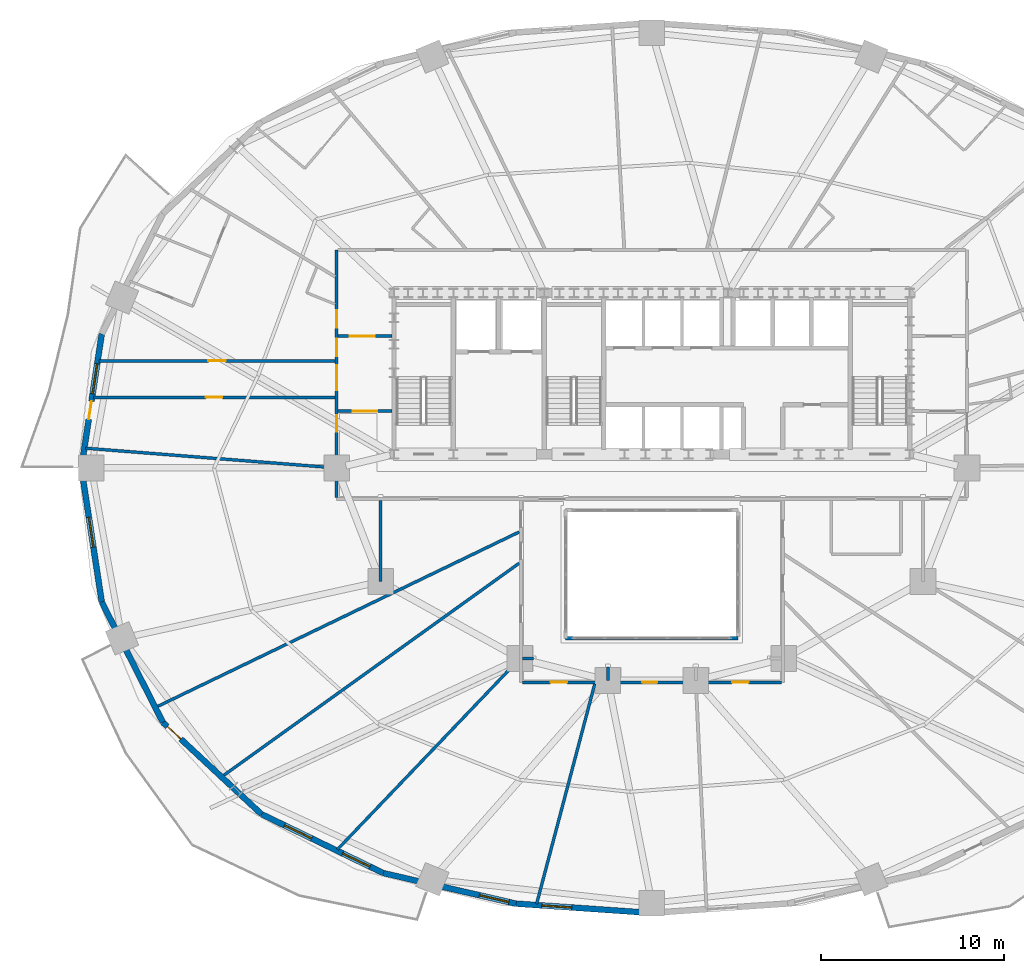
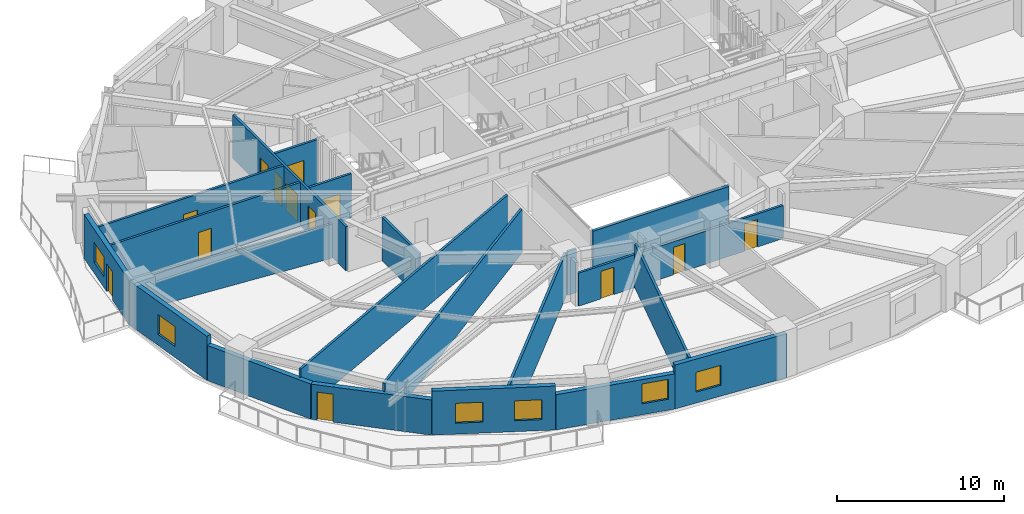
# One storey, part 9 of 17: 22 walls, 13 doors, 6 windows, 19 openings.
"""IFC4 building model written with IfcOpenShell, lengths in metres."""

from ifc_helpers import new_model, si_unit, direction, frame, frame_2d, origin, place, context, subcontext, project, spatial, rectangle, extrude, material, layer, layer_set, type_object, element, fill, save


model = new_model("IFC4")

# Units and contexts
model_context = context("Model", 3, precision=1e-05, world=origin(), true_north=direction((0.0, 1.0)))
body_context = subcontext(model_context, "Body", "Model", "MODEL_VIEW")
ifc_project = project(units=[si_unit("LENGTHUNIT", "METRE"), si_unit("AREAUNIT", "SQUARE_METRE"), si_unit("VOLUMEUNIT", "CUBIC_METRE"), si_unit("PLANEANGLEUNIT", "RADIAN"), si_unit("MASSUNIT", "GRAM", prefix="KILO")], contexts=[model_context])

# Site, building, storey
site_placement = place(None, origin())
site = spatial("IfcSite", under=ifc_project, at=site_placement, CompositionType="ELEMENT")
building_placement = place(site_placement, origin())
building = spatial("IfcBuilding", under=site, at=building_placement, Name="Haldorwick Loom Tower", CompositionType="ELEMENT")
storey_placement = place(building_placement, frame((0.0, 0.0, 34.35009765625)))
storey = spatial("IfcBuildingStorey", under=building, at=storey_placement, Name="L08", CompositionType="ELEMENT", Elevation=34.35009765625)

# Wall, openings, door, window
ifc_material_1 = material(Name="Pressed Clay Face Brick and Insulated Masonry Backup Assembly", Category="masonry")
ifc_layer_1 = layer(ifc_material_1, 0.320068359375, Name="Pressed Clay Face Brick and Insulated Masonry Backup Assembly", Category="masonry")
ifc_layer_set_1 = layer_set([ifc_layer_1], Name="Pressed Clay Face Brick and Insulated Masonry Backup Assembly")
wall_type_1 = type_object("IfcWallType", Name="ARC-WL-EXT320", PredefinedType="STANDARD", material=ifc_layer_set_1)
wall_1_placement = place(storey_placement, frame((5.978271484375, 33.320556640625, 0.0), z_axis=(0.0, 0.0, 1.0), x_axis=(-0.150476322528, -0.988613613278, 0.0)))
wall_1 = element("IfcWall", 1, at=wall_1_placement, inside=storey, type_object=wall_type_1, Name="L08 Brick Pier and Spandrel Wall 12", PredefinedType="STANDARD", context=body_context, shape_type="SweptSolid", body=[
    extrude(rectangle(XDim=7.40478515625, YDim=0.320068359375, at=frame_2d((3.702392578125, 0.0))), origin(), (0.0, 0.0, 1.0), 3.2099609375),
])
opening_1_placement = place(wall_1_placement, frame((3.714599609375, 0.0, 0.0)))
opening_1 = element("IfcOpeningElement", 2, at=opening_1_placement, cuts=wall_1, Name="Opening D-BL10", PredefinedType="OPENING", context=body_context, shape_type="SweptSolid", body=[
    extrude(rectangle(XDim=1.0, YDim=2.0400390625, at=frame_2d((0.5, 1.02001953125))), frame((0.0, 0.169921875, 0.0), z_axis=(0.0, -1.0, 0.0), x_axis=(1.0, 0.0, 0.0)), (0.0, 0.0, 1.0), 0.340087890625),
])
opening_2_placement = place(wall_1_placement, frame((1.653564453125, 0.0, 0.800048828125)))
opening_2 = element("IfcOpeningElement", 3, at=opening_2_placement, cuts=wall_1, Name="Opening W-01B", PredefinedType="OPENING", context=body_context, shape_type="SweptSolid", body=[
    extrude(rectangle(XDim=1.64990234375, YDim=1.449951171875, at=frame_2d((0.824951171875, 0.72509765625))), frame((0.0, 0.169921875, 0.0), z_axis=(0.0, -1.0, 0.0), x_axis=(1.0, 0.0, 0.0)), (0.0, 0.0, 1.0), 0.340087890625),
])
ifc_material_2 = material(Name="Thermally Broken Anodized Aluminium Curtain Wall Framing", Category="aluminium")
door_type_1 = type_object("IfcDoorType", Name="ARC-DR-BAL100", OperationType="NOTDEFINED", PredefinedType="DOOR", material=ifc_material_2)
door_1_placement = place(opening_1_placement, origin())
door_1 = element("IfcDoor", 4, at=door_1_placement, inside=storey, type_object=door_type_1, Name="L08 Outdoor Terrace Door SLB-L08-BAL_WNW", OperationType="SINGLE_SWING_LEFT", OverallHeight=2.0400390625, OverallWidth=1.0, PredefinedType="DOOR", context=body_context, shape_type="SweptSolid", body=[
    extrude(rectangle(XDim=1.0, YDim=2.0400390625, at=frame_2d((0.5, 1.02001953125))), frame((0.0, 0.02490234375, 0.0), z_axis=(0.0, -1.0, 0.0), x_axis=(1.0, 0.0, 0.0)), (0.0, 0.0, 1.0), 0.050048828125),
])
fill(opening_1, door_1)
ifc_material_3 = material(Name="Triple-Glazed Low-E Argon Insulated Glazing Unit", Category="glass")
window_type = type_object("IfcWindowType", Name="ARC-WIN-W165", PartitioningType="SINGLE_PANEL", PredefinedType="WINDOW", material=ifc_material_3)
window_1_placement = place(opening_2_placement, origin())
window_1 = element("IfcWindow", 5, at=window_1_placement, inside=storey, type_object=window_type, Name="L08 Deep-Set Zone 7A Window 12", OverallHeight=1.449951171875, OverallWidth=1.64990234375, PartitioningType="SINGLE_PANEL", PredefinedType="WINDOW", context=body_context, shape_type="SweptSolid", body=[
    extrude(rectangle(XDim=1.64990234375, YDim=1.449951171875, at=frame_2d((0.824951171875, 0.72509765625))), frame((0.0, 0.030029296875, 0.0), z_axis=(0.0, -1.0, 0.0), x_axis=(1.0, 0.0, 0.0)), (0.0, 0.0, 1.0), 0.06005859375),
])
fill(opening_2, window_1)

# Wall, opening, window
wall_2_placement = place(storey_placement, frame((4.864013671875, 26.0, 0.0), z_axis=(0.0, 0.0, 1.0), x_axis=(0.150476322528, -0.988613613278, 0.0)))
wall_2 = element("IfcWall", 6, at=wall_2_placement, inside=storey, type_object=wall_type_1, Name="L08 Brick Pier and Spandrel Wall 13", PredefinedType="STANDARD", context=body_context, shape_type="SweptSolid", body=[
    extrude(rectangle(XDim=7.40478515625, YDim=0.320068359375, at=frame_2d((3.702392578125, 0.0))), origin(), (0.0, 0.0, 1.0), 3.2099609375),
])
opening_3_placement = place(wall_2_placement, frame((2.728271484375, 0.0, 0.800048828125)))
opening_3 = element("IfcOpeningElement", 7, at=opening_3_placement, cuts=wall_2, Name="Opening W-01B", PredefinedType="OPENING", context=body_context, shape_type="SweptSolid", body=[
    extrude(rectangle(XDim=1.64990234375, YDim=1.449951171875, at=frame_2d((0.824951171875, 0.72509765625))), frame((0.0, 0.169921875, 0.0), z_axis=(0.0, -1.0, 0.0), x_axis=(1.0, 0.0, 0.0)), (0.0, 0.0, 1.0), 0.340087890625),
])
window_2_placement = place(opening_3_placement, origin())
window_2 = element("IfcWindow", 8, at=window_2_placement, inside=storey, type_object=window_type, Name="L08 Deep-Set Zone 7A Window 13", OverallHeight=1.449951171875, OverallWidth=1.64990234375, PartitioningType="SINGLE_PANEL", PredefinedType="WINDOW", context=body_context, shape_type="SweptSolid", body=[
    extrude(rectangle(XDim=1.64990234375, YDim=1.449951171875, at=frame_2d((0.824951171875, 0.72509765625))), frame((0.0, 0.030029296875, 0.0), z_axis=(0.0, -1.0, 0.0), x_axis=(1.0, 0.0, 0.0)), (0.0, 0.0, 1.0), 0.06005859375),
])
fill(opening_3, window_2)

# Wall
wall_3_placement = place(storey_placement, frame((5.978271484375, 18.679443359375, 0.0), z_axis=(0.0, 0.0, 1.0), x_axis=(0.452950855928, -0.891535485617, 0.0)))
element("IfcWall", 9, at=wall_3_placement, inside=storey, type_object=wall_type_1, Name="L08 Brick Pier and Spandrel Wall 14", PredefinedType="STANDARD", context=body_context, shape_type="SweptSolid", body=[
    extrude(rectangle(XDim=7.3583984375, YDim=0.320068359375, at=frame_2d((3.67919921875, 0.0))), origin(), (0.0, 0.0, 1.0), 2.56884765625),
])

# Wall, opening, door
wall_4_placement = place(storey_placement, frame((9.311279296875, 12.119140625, 0.0), z_axis=(0.0, 0.0, 1.0), x_axis=(0.73176101237, -0.681561311091, 0.0)))
wall_4 = element("IfcWall", 10, at=wall_4_placement, inside=storey, type_object=wall_type_1, Name="L08 Brick Pier and Spandrel Wall 15", PredefinedType="STANDARD", context=body_context, shape_type="SweptSolid", body=[
    extrude(rectangle(XDim=7.3583984375, YDim=0.320068359375, at=frame_2d((3.67919921875, 0.0))), origin(), (0.0, 0.0, 1.0), 2.56884765625),
])
opening_4_placement = place(wall_4_placement, frame((0.340087890625, 0.0, 0.0)))
opening_4 = element("IfcOpeningElement", 11, at=opening_4_placement, cuts=wall_4, Name="Opening D-BL10", PredefinedType="OPENING", context=body_context, shape_type="SweptSolid", body=[
    extrude(rectangle(XDim=1.0, YDim=2.0400390625, at=frame_2d((0.5, 1.02001953125))), frame((0.0, 0.169921875, 0.0), z_axis=(0.0, -1.0, 0.0), x_axis=(1.0, 0.0, 0.0)), (0.0, 0.0, 1.0), 0.340087890625),
])
door_2_placement = place(opening_4_placement, origin())
door_2 = element("IfcDoor", 12, at=door_2_placement, inside=storey, type_object=door_type_1, Name="L08 Outdoor Terrace Door SLB-L08-BAL_SW", OperationType="SINGLE_SWING_LEFT", OverallHeight=2.0400390625, OverallWidth=1.0, PredefinedType="DOOR", context=body_context, shape_type="SweptSolid", body=[
    extrude(rectangle(XDim=1.0, YDim=2.0400390625, at=frame_2d((0.5, 1.02001953125))), frame((0.0, 0.02490234375, 0.0), z_axis=(0.0, -1.0, 0.0), x_axis=(1.0, 0.0, 0.0)), (0.0, 0.0, 1.0), 0.050048828125),
])
fill(opening_4, door_2)

# Wall, openings, windows
wall_5_placement = place(storey_placement, frame((14.69580078125, 7.10400390625, 0.0), z_axis=(0.0, 0.0, 1.0), x_axis=(0.900295710431, -0.435278800057, 0.0)))
wall_5 = element("IfcWall", 13, at=wall_5_placement, inside=storey, type_object=wall_type_1, Name="L08 Brick Pier and Spandrel Wall 16", PredefinedType="STANDARD", context=body_context, shape_type="SweptSolid", body=[
    extrude(rectangle(XDim=7.39697265625, YDim=0.320068359375, at=frame_2d((3.698486328125, 0.0))), origin(), (0.0, 0.0, 1.0), 3.2099609375),
])
opening_5_placement = place(wall_5_placement, frame((1.39404296875, 0.0, 0.800048828125)))
opening_5 = element("IfcOpeningElement", 14, at=opening_5_placement, cuts=wall_5, Name="Opening W-01B", PredefinedType="OPENING", context=body_context, shape_type="SweptSolid", body=[
    extrude(rectangle(XDim=1.64990234375, YDim=1.449951171875, at=frame_2d((0.824951171875, 0.72509765625))), frame((0.0, 0.169921875, 0.0), z_axis=(0.0, -1.0, 0.0), x_axis=(1.0, 0.0, 0.0)), (0.0, 0.0, 1.0), 0.340087890625),
])
opening_6_placement = place(wall_5_placement, frame((4.924560546875, 0.0, 0.800048828125)))
opening_6 = element("IfcOpeningElement", 15, at=opening_6_placement, cuts=wall_5, Name="Opening W-01B", PredefinedType="OPENING", context=body_context, shape_type="SweptSolid", body=[
    extrude(rectangle(XDim=1.64990234375, YDim=1.449951171875, at=frame_2d((0.824951171875, 0.72509765625))), frame((0.0, 0.169921875, 0.0), z_axis=(0.0, -1.0, 0.0), x_axis=(1.0, 0.0, 0.0)), (0.0, 0.0, 1.0), 0.340087890625),
])
window_3_placement = place(opening_5_placement, origin())
window_3 = element("IfcWindow", 16, at=window_3_placement, inside=storey, type_object=window_type, Name="L08 Deep-Set Zone 7A Window 16", OverallHeight=1.449951171875, OverallWidth=1.64990234375, PartitioningType="SINGLE_PANEL", PredefinedType="WINDOW", context=body_context, shape_type="SweptSolid", body=[
    extrude(rectangle(XDim=1.64990234375, YDim=1.449951171875, at=frame_2d((0.824951171875, 0.72509765625))), frame((0.0, 0.030029296875, 0.0), z_axis=(0.0, -1.0, 0.0), x_axis=(1.0, 0.0, 0.0)), (0.0, 0.0, 1.0), 0.06005859375),
])
fill(opening_5, window_3)
window_4_placement = place(opening_6_placement, origin())
window_4 = element("IfcWindow", 17, at=window_4_placement, inside=storey, type_object=window_type, Name="L08 Deep-Set Zone 7A Window 16", OverallHeight=1.449951171875, OverallWidth=1.64990234375, PartitioningType="SINGLE_PANEL", PredefinedType="WINDOW", context=body_context, shape_type="SweptSolid", body=[
    extrude(rectangle(XDim=1.64990234375, YDim=1.449951171875, at=frame_2d((0.824951171875, 0.72509765625))), frame((0.0, 0.030029296875, 0.0), z_axis=(0.0, -1.0, 0.0), x_axis=(1.0, 0.0, 0.0)), (0.0, 0.0, 1.0), 0.06005859375),
])
fill(opening_6, window_4)

# Wall, opening, window
wall_6_placement = place(storey_placement, frame((21.355224609375, 3.88427734375, 0.0), z_axis=(0.0, 0.0, 1.0), x_axis=(0.974522412345, -0.224290142088, 0.0)))
wall_6 = element("IfcWall", 18, at=wall_6_placement, inside=storey, type_object=wall_type_1, Name="L08 Brick Pier and Spandrel Wall 17", PredefinedType="STANDARD", context=body_context, shape_type="SweptSolid", body=[
    extrude(rectangle(XDim=7.422607421875, YDim=0.320068359375, at=frame_2d((3.71142578125, 0.0))), origin(), (0.0, 0.0, 1.0), 2.56884765625),
])
opening_7_placement = place(wall_6_placement, frame((5.37255859375, 0.0, 0.800048828125)))
opening_7 = element("IfcOpeningElement", 19, at=opening_7_placement, cuts=wall_6, Name="Opening W-01B", PredefinedType="OPENING", context=body_context, shape_type="SweptSolid", body=[
    extrude(rectangle(XDim=1.64990234375, YDim=1.449951171875, at=frame_2d((0.824951171875, 0.72509765625))), frame((0.0, 0.169921875, 0.0), z_axis=(0.0, -1.0, 0.0), x_axis=(1.0, 0.0, 0.0)), (0.0, 0.0, 1.0), 0.340087890625),
])
window_5_placement = place(opening_7_placement, origin())
window_5 = element("IfcWindow", 20, at=window_5_placement, inside=storey, type_object=window_type, Name="L08 Deep-Set Zone 7A Window 17", OverallHeight=1.449951171875, OverallWidth=1.64990234375, PartitioningType="SINGLE_PANEL", PredefinedType="WINDOW", context=body_context, shape_type="SweptSolid", body=[
    extrude(rectangle(XDim=1.64990234375, YDim=1.449951171875, at=frame_2d((0.824951171875, 0.72509765625))), frame((0.0, 0.030029296875, 0.0), z_axis=(0.0, -1.0, 0.0), x_axis=(1.0, 0.0, 0.0)), (0.0, 0.0, 1.0), 0.06005859375),
])
fill(opening_7, window_5)

wall_7_placement = place(storey_placement, frame((28.588623046875, 2.219482421875, 0.0), z_axis=(0.0, 0.0, 1.0), x_axis=(0.997645161917, -0.068586667092, 0.0)))
wall_7 = element("IfcWall", 21, at=wall_7_placement, inside=storey, type_object=wall_type_1, Name="L08 Brick Pier and Spandrel Wall 18", PredefinedType="STANDARD", context=body_context, shape_type="SweptSolid", body=[
    extrude(rectangle(XDim=7.428955078125, YDim=0.320068359375, at=frame_2d((3.71435546875, 0.0))), origin(), (0.0, 0.0, 1.0), 3.2099609375),
])
opening_8_placement = place(wall_7_placement, frame((1.403564453125, 0.0, 0.800048828125)))
opening_8 = element("IfcOpeningElement", 22, at=opening_8_placement, cuts=wall_7, Name="Opening W-01B", PredefinedType="OPENING", context=body_context, shape_type="SweptSolid", body=[
    extrude(rectangle(XDim=1.64990234375, YDim=1.449951171875, at=frame_2d((0.824951171875, 0.72509765625))), frame((0.0, 0.169921875, 0.0), z_axis=(0.0, -1.0, 0.0), x_axis=(1.0, 0.0, 0.0)), (0.0, 0.0, 1.0), 0.340087890625),
])
window_6_placement = place(opening_8_placement, origin())
window_6 = element("IfcWindow", 23, at=window_6_placement, inside=storey, type_object=window_type, Name="L08 Deep-Set Zone 7A Window 18", OverallHeight=1.449951171875, OverallWidth=1.64990234375, PartitioningType="SINGLE_PANEL", PredefinedType="WINDOW", context=body_context, shape_type="SweptSolid", body=[
    extrude(rectangle(XDim=1.64990234375, YDim=1.449951171875, at=frame_2d((0.824951171875, 0.72509765625))), frame((0.0, 0.030029296875, 0.0), z_axis=(0.0, -1.0, 0.0), x_axis=(1.0, 0.0, 0.0)), (0.0, 0.0, 1.0), 0.06005859375),
])
fill(opening_8, window_6)

# Wall, openings, doors
ifc_material_4 = material(Name="Fire-Rated Type X Gypsum Stud Assembly EI 60")
ifc_layer_2 = layer(ifc_material_4, 0.159912109375, Name="Fire-Rated Type X Gypsum Stud Assembly EI 60")
ifc_layer_set_2 = layer_set([ifc_layer_2], Name="Fire-Rated Type X Gypsum Stud Assembly EI 60")
wall_type_2 = type_object("IfcWallType", Name="ARC-WL-FIRE160", PredefinedType="PARTITIONING", material=ifc_layer_set_2)
wall_8_placement = place(storey_placement, frame((18.800048828125, 24.383056640625, 0.0), z_axis=(0.0, 0.0, 1.0), x_axis=(0.0, 1.0, 0.0)))
wall_8 = element("IfcWall", 24, at=wall_8_placement, inside=storey, type_object=wall_type_2, Name="L08 Residential Fire Partition L08-CR-W0", PredefinedType="PARTITIONING", context=body_context, shape_type="SweptSolid", body=[
    extrude(rectangle(XDim=13.516845703125, YDim=0.159912109375, at=frame_2d((6.75830078125, 0.0))), origin(), (0.0, 0.0, 1.0), 3.19482421875),
])
opening_9_placement = place(wall_8_placement, frame((5.86181640625, 0.0, 0.0)))
opening_9 = element("IfcOpeningElement", 25, at=opening_9_placement, cuts=wall_8, Name="Opening D-CR15", PredefinedType="OPENING", context=body_context, shape_type="SweptSolid", body=[
    extrude(rectangle(XDim=1.35009765625, YDim=2.0, at=frame_2d((0.675048828125, 1.0))), frame((0.0, 0.08984375, 0.0), z_axis=(0.0, -1.0, 0.0), x_axis=(1.0, 0.0, 0.0)), (0.0, 0.0, 1.0), 0.179931640625),
])
opening_10_placement = place(wall_8_placement, frame((3.5908203125, 0.0, 0.0)))
opening_10 = element("IfcOpeningElement", 26, at=opening_10_placement, cuts=wall_8, Name="Opening D-FD60A", PredefinedType="OPENING", context=body_context, shape_type="SweptSolid", body=[
    extrude(rectangle(XDim=0.89990234375, YDim=2.0, at=frame_2d((0.449951171875, 1.0))), frame((0.0, 0.08984375, 0.0), z_axis=(0.0, -1.0, 0.0), x_axis=(1.0, 0.0, 0.0)), (0.0, 0.0, 1.0), 0.179931640625),
])
opening_11_placement = place(wall_8_placement, frame((9.27490234375, 0.0, 0.0)))
opening_11 = element("IfcOpeningElement", 27, at=opening_11_placement, cuts=wall_8, Name="Opening D-FL95", PredefinedType="OPENING", context=body_context, shape_type="SweptSolid", body=[
    extrude(rectangle(XDim=0.949951171875, YDim=2.0400390625, at=frame_2d((0.47509765625, 1.02001953125))), frame((0.0, 0.08984375, 0.0), z_axis=(0.0, -1.0, 0.0), x_axis=(1.0, 0.0, 0.0)), (0.0, 0.0, 1.0), 0.179931640625),
])
opening_12_placement = place(wall_8_placement, frame((7.723876953125, 0.0, 0.0)))
opening_12 = element("IfcOpeningElement", 28, at=opening_12_placement, cuts=wall_8, Name="Opening D-FL95", PredefinedType="OPENING", context=body_context, shape_type="SweptSolid", body=[
    extrude(rectangle(XDim=0.949951171875, YDim=2.0400390625, at=frame_2d((0.47509765625, 1.02001953125))), frame((0.0, 0.08984375, 0.0), z_axis=(0.0, -1.0, 0.0), x_axis=(1.0, 0.0, 0.0)), (0.0, 0.0, 1.0), 0.179931640625),
])
ifc_material_5 = material(Name="Thermally Broken Anodized Aluminium and Tempered Glass", Category="aluminium")
door_type_2 = type_object("IfcDoorType", Name="ARC-DR-COR150", OperationType="NOTDEFINED", PredefinedType="DOOR", material=ifc_material_5)
door_3_placement = place(opening_9_placement, origin())
door_3 = element("IfcDoor", 29, at=door_3_placement, inside=storey, type_object=door_type_2, Name="L08 L08 West Daylight Corridor to L08 West Residential Corridor Door", OperationType="DOUBLE_DOOR_SINGLE_SWING", OverallHeight=2.0, OverallWidth=1.35009765625, PredefinedType="DOOR", context=body_context, shape_type="SweptSolid", body=[
    extrude(rectangle(XDim=1.35009765625, YDim=2.0, at=frame_2d((0.675048828125, 1.0))), frame((0.0, 0.02490234375, 0.0), z_axis=(0.0, -1.0, 0.0), x_axis=(1.0, 0.0, 0.0)), (0.0, 0.0, 1.0), 0.050048828125),
])
fill(opening_9, door_3)
ifc_material_6 = material(Name="Hollow Steel Fire Door Assembly", Category="steel")
door_type_3 = type_object("IfcDoorType", Name="ARC-DR-FD60-90", OperationType="NOTDEFINED", PredefinedType="DOOR", material=ifc_material_6)
door_4_placement = place(opening_10_placement, frame((0.89990234375, 0.0, 0.0), z_axis=(0.0, 0.0, 1.0), x_axis=(-1.0, 0.0, 0.0)))
door_4 = element("IfcDoor", 30, at=door_4_placement, inside=storey, type_object=door_type_3, Name="L08 Community Library Room 1 to L08 Central Residential Corridor Door", OperationType="SINGLE_SWING_RIGHT", OverallHeight=2.0, OverallWidth=0.89990234375, PredefinedType="DOOR", context=body_context, shape_type="SweptSolid", body=[
    extrude(rectangle(XDim=0.89990234375, YDim=2.0, at=frame_2d((0.449951171875, 1.0))), frame((0.0, 0.02490234375, 0.0), z_axis=(0.0, -1.0, 0.0), x_axis=(1.0, 0.0, 0.0)), (0.0, 0.0, 1.0), 0.050048828125),
])
fill(opening_10, door_4)
ifc_material_7 = material(Name="Solid Core Birch Architectural Door")
door_type_4 = type_object("IfcDoorType", Name="ARC-DR-FLAT95", OperationType="NOTDEFINED", PredefinedType="DOOR", material=ifc_material_7)
door_5_placement = place(opening_11_placement, frame((0.949951171875, 0.0, 0.0), z_axis=(0.0, 0.0, 1.0), x_axis=(-1.0, 0.0, 0.0)))
door_5 = element("IfcDoor", 31, at=door_5_placement, inside=storey, type_object=door_type_4, Name="L08 Unit 08A Kitchen and Living Room to L08 North Residential Corridor D", OperationType="SINGLE_SWING_RIGHT", OverallHeight=2.0400390625, OverallWidth=0.949951171875, PredefinedType="DOOR", context=body_context, shape_type="SweptSolid", body=[
    extrude(rectangle(XDim=0.949951171875, YDim=2.0400390625, at=frame_2d((0.47509765625, 1.02001953125))), frame((0.0, 0.02490234375, 0.0), z_axis=(0.0, -1.0, 0.0), x_axis=(1.0, 0.0, 0.0)), (0.0, 0.0, 1.0), 0.050048828125),
])
fill(opening_11, door_5)
door_6_placement = place(opening_12_placement, frame((0.949951171875, 0.0, 0.0), z_axis=(0.0, 0.0, 1.0), x_axis=(-1.0, 0.0, 0.0)))
door_6 = element("IfcDoor", 32, at=door_6_placement, inside=storey, type_object=door_type_4, Name="L08 Unit 08A Kitchen and Living Room to L08 West Residential Corridor Do", OperationType="SINGLE_SWING_LEFT", OverallHeight=2.0400390625, OverallWidth=0.949951171875, PredefinedType="DOOR", context=body_context, shape_type="SweptSolid", body=[
    extrude(rectangle(XDim=0.949951171875, YDim=2.0400390625, at=frame_2d((0.47509765625, 1.02001953125))), frame((0.0, 0.02490234375, 0.0), z_axis=(0.0, -1.0, 0.0), x_axis=(1.0, 0.0, 0.0)), (0.0, 0.0, 1.0), 0.050048828125),
])
fill(opening_12, door_6)

# Wall, opening, door
wall_9_placement = place(storey_placement, frame((18.883056640625, 29.10009765625, 0.0), z_axis=(0.0, 0.0, 1.0), x_axis=(1.0, 0.0, 0.0)))
wall_9 = element("IfcWall", 33, at=wall_9_placement, inside=storey, type_object=wall_type_2, Name="L08 Residential Fire Partition L08-CR-WSJ", PredefinedType="PARTITIONING", context=body_context, shape_type="SweptSolid", body=[
    extrude(rectangle(XDim=2.923828125, YDim=0.159912109375, at=frame_2d((1.4619140625, 0.0))), origin(), (0.0, 0.0, 1.0), 3.19482421875),
])
opening_13_placement = place(wall_9_placement, frame((0.787109375, 0.0, 0.0)))
opening_13 = element("IfcOpeningElement", 34, at=opening_13_placement, cuts=wall_9, Name="Opening D-CR15", PredefinedType="OPENING", context=body_context, shape_type="SweptSolid", body=[
    extrude(rectangle(XDim=1.35009765625, YDim=2.0, at=frame_2d((0.675048828125, 1.0))), frame((0.0, 0.08984375, 0.0), z_axis=(0.0, -1.0, 0.0), x_axis=(1.0, 0.0, 0.0)), (0.0, 0.0, 1.0), 0.179931640625),
])
door_7_placement = place(opening_13_placement, origin())
door_7 = element("IfcDoor", 35, at=door_7_placement, inside=storey, type_object=door_type_2, Name="L08 L08 West Residential Corridor to L08 Central Residential Corridor Do", OperationType="DOUBLE_DOOR_SINGLE_SWING", OverallHeight=2.0, OverallWidth=1.35009765625, PredefinedType="DOOR", context=body_context, shape_type="SweptSolid", body=[
    extrude(rectangle(XDim=1.35009765625, YDim=2.0, at=frame_2d((0.675048828125, 1.0))), frame((0.0, 0.02490234375, 0.0), z_axis=(0.0, -1.0, 0.0), x_axis=(1.0, 0.0, 0.0)), (0.0, 0.0, 1.0), 0.050048828125),
])
fill(opening_13, door_7)

wall_10_placement = place(storey_placement, frame((18.883056640625, 33.199951171875, 0.0), z_axis=(0.0, 0.0, 1.0), x_axis=(1.0, 0.0, 0.0)))
wall_10 = element("IfcWall", 36, at=wall_10_placement, inside=storey, type_object=wall_type_2, Name="L08 Residential Fire Partition L08-CR-WNJ", PredefinedType="PARTITIONING", context=body_context, shape_type="SweptSolid", body=[
    extrude(rectangle(XDim=2.923828125, YDim=0.159912109375, at=frame_2d((1.4619140625, 0.0))), origin(), (0.0, 0.0, 1.0), 3.19482421875),
])
opening_14_placement = place(wall_10_placement, frame((0.637939453125, 0.0, 0.0)))
opening_14 = element("IfcOpeningElement", 37, at=opening_14_placement, cuts=wall_10, Name="Opening D-CR15", PredefinedType="OPENING", context=body_context, shape_type="SweptSolid", body=[
    extrude(rectangle(XDim=1.35009765625, YDim=2.0, at=frame_2d((0.675048828125, 1.0))), frame((0.0, 0.08984375, 0.0), z_axis=(0.0, -1.0, 0.0), x_axis=(1.0, 0.0, 0.0)), (0.0, 0.0, 1.0), 0.179931640625),
])
door_8_placement = place(opening_14_placement, origin())
door_8 = element("IfcDoor", 38, at=door_8_placement, inside=storey, type_object=door_type_2, Name="L08 L08 North Residential Corridor to L08 West Residential Corridor Door", OperationType="DOUBLE_DOOR_SINGLE_SWING", OverallHeight=2.0, OverallWidth=1.35009765625, PredefinedType="DOOR", context=body_context, shape_type="SweptSolid", body=[
    extrude(rectangle(XDim=1.35009765625, YDim=2.0, at=frame_2d((0.675048828125, 1.0))), frame((0.0, 0.02490234375, 0.0), z_axis=(0.0, -1.0, 0.0), x_axis=(1.0, 0.0, 0.0)), (0.0, 0.0, 1.0), 0.050048828125),
])
fill(opening_14, door_8)

# Wall, openings, doors
wall_11_placement = place(storey_placement, frame((28.93310546875, 14.300048828125, 0.0), z_axis=(0.0, 0.0, 1.0), x_axis=(1.0, 0.0, 0.0)))
wall_11 = element("IfcWall", 39, at=wall_11_placement, inside=storey, type_object=wall_type_2, Name="L08 Residential Fire Partition L08-CR-AS", PredefinedType="PARTITIONING", context=body_context, shape_type="SweptSolid", body=[
    extrude(rectangle(XDim=14.1337890625, YDim=0.159912109375, at=frame_2d((7.06689453125, 0.0))), origin(), (0.0, 0.0, 1.0), 2.411865234375),
])
opening_15_placement = place(wall_11_placement, frame((11.455322265625, 0.0, 0.0)))
opening_15 = element("IfcOpeningElement", 40, at=opening_15_placement, cuts=wall_11, Name="Opening D-FD60A", PredefinedType="OPENING", context=body_context, shape_type="SweptSolid", body=[
    extrude(rectangle(XDim=0.89990234375, YDim=2.0, at=frame_2d((0.449951171875, 1.0))), frame((0.0, 0.08984375, 0.0), z_axis=(0.0, -1.0, 0.0), x_axis=(1.0, 0.0, 0.0)), (0.0, 0.0, 1.0), 0.179931640625),
])
opening_16_placement = place(wall_11_placement, frame((1.53759765625, 0.0, 0.0)))
opening_16 = element("IfcOpeningElement", 41, at=opening_16_placement, cuts=wall_11, Name="Opening D-FD60A", PredefinedType="OPENING", context=body_context, shape_type="SweptSolid", body=[
    extrude(rectangle(XDim=0.89990234375, YDim=2.0, at=frame_2d((0.449951171875, 1.0))), frame((0.0, 0.08984375, 0.0), z_axis=(0.0, -1.0, 0.0), x_axis=(1.0, 0.0, 0.0)), (0.0, 0.0, 1.0), 0.179931640625),
])
opening_17_placement = place(wall_11_placement, frame((6.555419921875, 0.0, 0.0)))
opening_17 = element("IfcOpeningElement", 42, at=opening_17_placement, cuts=wall_11, Name="Opening D-FD80", PredefinedType="OPENING", context=body_context, shape_type="SweptSolid", body=[
    extrude(rectangle(XDim=0.800048828125, YDim=2.0, at=frame_2d((0.39990234375, 1.0))), frame((0.0, 0.08984375, 0.0), z_axis=(0.0, -1.0, 0.0), x_axis=(1.0, 0.0, 0.0)), (0.0, 0.0, 1.0), 0.179931640625),
])
door_type_5 = type_object("IfcDoorType", Name="ARC-DR-FD60-80", OperationType="NOTDEFINED", PredefinedType="DOOR", material=ifc_material_6)
door_9_placement = place(opening_17_placement, origin())
door_9 = element("IfcDoor", 43, at=door_9_placement, inside=storey, type_object=door_type_5, Name="L08 L08 South Atrium Corridor to Shared Resident Dining Hall 2 Door", OperationType="SINGLE_SWING_RIGHT", OverallHeight=2.0, OverallWidth=0.800048828125, PredefinedType="DOOR", context=body_context, shape_type="SweptSolid", body=[
    extrude(rectangle(XDim=0.800048828125, YDim=2.0, at=frame_2d((0.39990234375, 1.0))), frame((0.0, 0.02490234375, 0.0), z_axis=(0.0, -1.0, 0.0), x_axis=(1.0, 0.0, 0.0)), (0.0, 0.0, 1.0), 0.050048828125),
])
fill(opening_17, door_9)
door_10_placement = place(opening_15_placement, origin())
door_10 = element("IfcDoor", 44, at=door_10_placement, inside=storey, type_object=door_type_3, Name="L08 L08 South Atrium Corridor to Shared Resident Dining Hall 5 Door", OperationType="SINGLE_SWING_RIGHT", OverallHeight=2.0, OverallWidth=0.89990234375, PredefinedType="DOOR", context=body_context, shape_type="SweptSolid", body=[
    extrude(rectangle(XDim=0.89990234375, YDim=2.0, at=frame_2d((0.449951171875, 1.0))), frame((0.0, 0.02490234375, 0.0), z_axis=(0.0, -1.0, 0.0), x_axis=(1.0, 0.0, 0.0)), (0.0, 0.0, 1.0), 0.050048828125),
])
fill(opening_15, door_10)
door_11_placement = place(opening_16_placement, origin())
door_11 = element("IfcDoor", 45, at=door_11_placement, inside=storey, type_object=door_type_3, Name="L08 L08 South Atrium Corridor to Shared Resident Dining Hall 3 Door", OperationType="SINGLE_SWING_RIGHT", OverallHeight=2.0, OverallWidth=0.89990234375, PredefinedType="DOOR", context=body_context, shape_type="SweptSolid", body=[
    extrude(rectangle(XDim=0.89990234375, YDim=2.0, at=frame_2d((0.449951171875, 1.0))), frame((0.0, 0.02490234375, 0.0), z_axis=(0.0, -1.0, 0.0), x_axis=(1.0, 0.0, 0.0)), (0.0, 0.0, 1.0), 0.050048828125),
])
fill(opening_16, door_11)

# Wall, opening, door
wall_12_placement = place(storey_placement, frame((5.515625, 29.85009765625, 0.0), z_axis=(0.0, 0.0, 1.0), x_axis=(1.0, 0.0, 0.0)))
wall_12 = element("IfcWall", 46, at=wall_12_placement, inside=storey, type_object=wall_type_2, Name="L08 Residential Fire Partition L08-CR-GW0", PredefinedType="PARTITIONING", context=body_context, shape_type="SweptSolid", body=[
    extrude(rectangle(XDim=13.201416015625, YDim=0.159912109375, at=frame_2d((6.6005859375, 0.0))), origin(), (0.0, 0.0, 1.0), 3.19482421875),
])
opening_18_placement = place(wall_12_placement, frame((6.150634765625, 0.0, 0.0)))
opening_18 = element("IfcOpeningElement", 47, at=opening_18_placement, cuts=wall_12, Name="Opening D-FD60A", PredefinedType="OPENING", context=body_context, shape_type="SweptSolid", body=[
    extrude(rectangle(XDim=0.89990234375, YDim=2.0, at=frame_2d((0.449951171875, 1.0))), frame((0.0, 0.08984375, 0.0), z_axis=(0.0, -1.0, 0.0), x_axis=(1.0, 0.0, 0.0)), (0.0, 0.0, 1.0), 0.179931640625),
])
door_12_placement = place(opening_18_placement, origin())
door_12 = element("IfcDoor", 48, at=door_12_placement, inside=storey, type_object=door_type_3, Name="L08 L08 West Daylight Corridor to Community Library Room 1 Door", OperationType="SINGLE_SWING_RIGHT", OverallHeight=2.0, OverallWidth=0.89990234375, PredefinedType="DOOR", context=body_context, shape_type="SweptSolid", body=[
    extrude(rectangle(XDim=0.89990234375, YDim=2.0, at=frame_2d((0.449951171875, 1.0))), frame((0.0, 0.02490234375, 0.0), z_axis=(0.0, -1.0, 0.0), x_axis=(1.0, 0.0, 0.0)), (0.0, 0.0, 1.0), 0.050048828125),
])
fill(opening_18, door_12)

wall_13_placement = place(storey_placement, frame((5.820068359375, 31.85009765625, 0.0), z_axis=(0.0, 0.0, 1.0), x_axis=(1.0, 0.0, 0.0)))
wall_13 = element("IfcWall", 49, at=wall_13_placement, inside=storey, type_object=wall_type_2, Name="L08 Residential Fire Partition L08-CR-GW1", PredefinedType="PARTITIONING", context=body_context, shape_type="SweptSolid", body=[
    extrude(rectangle(XDim=12.89697265625, YDim=0.159912109375, at=frame_2d((6.448486328125, 0.0))), origin(), (0.0, 0.0, 1.0), 3.19482421875),
])
opening_19_placement = place(wall_13_placement, frame((5.973388671875, 0.0, 0.0)))
opening_19 = element("IfcOpeningElement", 50, at=opening_19_placement, cuts=wall_13, Name="Opening D-FL95", PredefinedType="OPENING", context=body_context, shape_type="SweptSolid", body=[
    extrude(rectangle(XDim=0.949951171875, YDim=2.0400390625, at=frame_2d((0.47509765625, 1.02001953125))), frame((0.0, 0.08984375, 0.0), z_axis=(0.0, -1.0, 0.0), x_axis=(1.0, 0.0, 0.0)), (0.0, 0.0, 1.0), 0.179931640625),
])
door_13_placement = place(opening_19_placement, frame((0.949951171875, 0.0, 0.0), z_axis=(0.0, 0.0, 1.0), x_axis=(-1.0, 0.0, 0.0)))
door_13 = element("IfcDoor", 51, at=door_13_placement, inside=storey, type_object=door_type_4, Name="L08 Unit 08A Kitchen and Living Room to L08 West Daylight Corridor Door", OperationType="SINGLE_SWING_LEFT", OverallHeight=2.0400390625, OverallWidth=0.949951171875, PredefinedType="DOOR", context=body_context, shape_type="SweptSolid", body=[
    extrude(rectangle(XDim=0.949951171875, YDim=2.0400390625, at=frame_2d((0.47509765625, 1.02001953125))), frame((0.0, 0.02490234375, 0.0), z_axis=(0.0, -1.0, 0.0), x_axis=(1.0, 0.0, 0.0)), (0.0, 0.0, 1.0), 0.050048828125),
])
fill(opening_19, door_13)

# Walls
wall_14_placement = place(storey_placement, frame((28.76708984375, 15.5654296875, 0.0), z_axis=(0.0, 0.0, 1.0), x_axis=(-0.690829161036, -0.723018029002, 0.0)))
element("IfcWall", 52, at=wall_14_placement, inside=storey, type_object=wall_type_2, Name="L08 Residential Fire Partition L08-ICR-08", PredefinedType="PARTITIONING", context=body_context, shape_type="SweptSolid", body=[
    extrude(rectangle(XDim=14.372802734375, YDim=0.159912109375, at=frame_2d((7.1865234375, 0.0))), origin(), (0.0, 0.0, 1.0), 3.19482421875),
])
wall_15_placement = place(storey_placement, frame((18.717041015625, 26.006591796875, 0.0), z_axis=(0.0, 0.0, 1.0), x_axis=(-0.99691810959, 0.078449236903, 0.0)))
element("IfcWall", 53, at=wall_15_placement, inside=storey, type_object=wall_type_2, Name="L08 Residential Fire Partition L08-ICR-10", PredefinedType="PARTITIONING", context=body_context, shape_type="SweptSolid", body=[
    extrude(rectangle(XDim=13.665283203125, YDim=0.159912109375, at=frame_2d((6.83251953125, 0.0))), origin(), (0.0, 0.0, 1.0), 2.489990234375),
])
wall_16_placement = place(storey_placement, frame((33.60009765625, 15.14990234375, 0.0), z_axis=(0.0, 0.0, 1.0), x_axis=(0.0, -1.0, 0.0)))
element("IfcWall", 54, at=wall_16_placement, inside=storey, type_object=wall_type_2, Name="L08 Residential Fire Partition L08-ICA-06", PredefinedType="PARTITIONING", context=body_context, shape_type="SweptSolid", body=[
    extrude(rectangle(XDim=0.75, YDim=0.159912109375, at=frame_2d((0.375, 0.0))), origin(), (0.0, 0.0, 1.0), 3.19482421875),
])
wall_17_placement = place(storey_placement, frame((29.550048828125, 15.60009765625, 0.0), z_axis=(0.0, 0.0, 1.0), x_axis=(-1.0, 0.0, 0.0)))
element("IfcWall", 55, at=wall_17_placement, inside=storey, type_object=wall_type_2, Name="L08 Residential Fire Partition L08-ICA-07", PredefinedType="PARTITIONING", context=body_context, shape_type="SweptSolid", body=[
    extrude(rectangle(XDim=0.616943359375, YDim=0.159912109375, at=frame_2d((0.30859375, 0.0))), origin(), (0.0, 0.0, 1.0), 3.19482421875),
])
wall_18_placement = place(storey_placement, frame((21.199951171875, 24.217041015625, 0.0), z_axis=(0.0, 0.0, 1.0), x_axis=(0.0, -1.0, 0.0)))
element("IfcWall", 56, at=wall_18_placement, inside=storey, type_object=wall_type_2, Name="L08 Residential Fire Partition L08-ICA-09", PredefinedType="PARTITIONING", context=body_context, shape_type="SweptSolid", body=[
    extrude(rectangle(XDim=4.4169921875, YDim=0.159912109375, at=frame_2d((2.20849609375, 0.0))), origin(), (0.0, 0.0, 1.0), 3.19482421875),
])
wall_19_placement = place(storey_placement, frame((32.885986328125, 14.217041015625, 0.0), z_axis=(0.0, 0.0, 1.0), x_axis=(-0.255522498583, -0.966803109593, 0.0)))
element("IfcWall", 57, at=wall_19_placement, inside=storey, type_object=wall_type_2, Name="L08 Suite Split Wall", PredefinedType="PARTITIONING", context=body_context, shape_type="SweptSolid", body=[
    extrude(rectangle(XDim=12.421875, YDim=0.159912109375, at=frame_2d((6.2109375, 0.0))), origin(), (0.0, 0.0, 1.0), 3.19482421875),
])
wall_20_placement = place(storey_placement, frame((28.76708984375, 22.510498046875, 0.0), z_axis=(0.0, 0.0, 1.0), x_axis=(-0.900658917852, -0.434526769824, 0.0)))
element("IfcWall", 58, at=wall_20_placement, inside=storey, type_object=wall_type_2, Name="L08 Suite Split Wall", PredefinedType="PARTITIONING", context=body_context, shape_type="SweptSolid", body=[
    extrude(rectangle(XDim=21.9921875, YDim=0.159912109375, at=frame_2d((10.99609375, 0.0))), origin(), (0.0, 0.0, 1.0), 3.19482421875),
])
wall_21_placement = place(storey_placement, frame((28.76708984375, 20.806884765625, 0.0), z_axis=(0.0, 0.0, 1.0), x_axis=(-0.812313323995, -0.5832212819, 0.0)))
element("IfcWall", 59, at=wall_21_placement, inside=storey, type_object=wall_type_2, Name="L08 Suite Split Wall", PredefinedType="PARTITIONING", context=body_context, shape_type="SweptSolid", body=[
    extrude(rectangle(XDim=19.943359375, YDim=0.159912109375, at=frame_2d((9.9716796875, 0.0))), origin(), (0.0, 0.0, 1.0), 3.19482421875),
])
ifc_material_8 = material(Name="Fire-Rated Type X Gypsum Stud Assembly EI 120")
ifc_layer_3 = layer(ifc_material_8, 0.199951171875, Name="Fire-Rated Type X Gypsum Stud Assembly EI 120")
ifc_layer_set_3 = layer_set([ifc_layer_3], Name="Fire-Rated Type X Gypsum Stud Assembly EI 120")
wall_type_3 = type_object("IfcWallType", Name="ARC-WL-FIRE200", PredefinedType="PARTITIONING", material=ifc_layer_set_3)
wall_22_placement = place(storey_placement, frame((40.699951171875, 16.699951171875, 0.0), z_axis=(0.0, 0.0, 1.0), x_axis=(-1.0, 0.0, 0.0)))
element("IfcWall", 60, at=wall_22_placement, inside=storey, type_object=wall_type_3, Name="L08 Atrium Fire Enclosure Wall S", PredefinedType="PARTITIONING", context=body_context, shape_type="SweptSolid", body=[
    extrude(rectangle(XDim=9.39990234375, YDim=0.199951171875, at=frame_2d((4.699951171875, 0.0))), origin(), (0.0, 0.0, 1.0), 3.19482421875),
])

save(model, "model.ifc")
